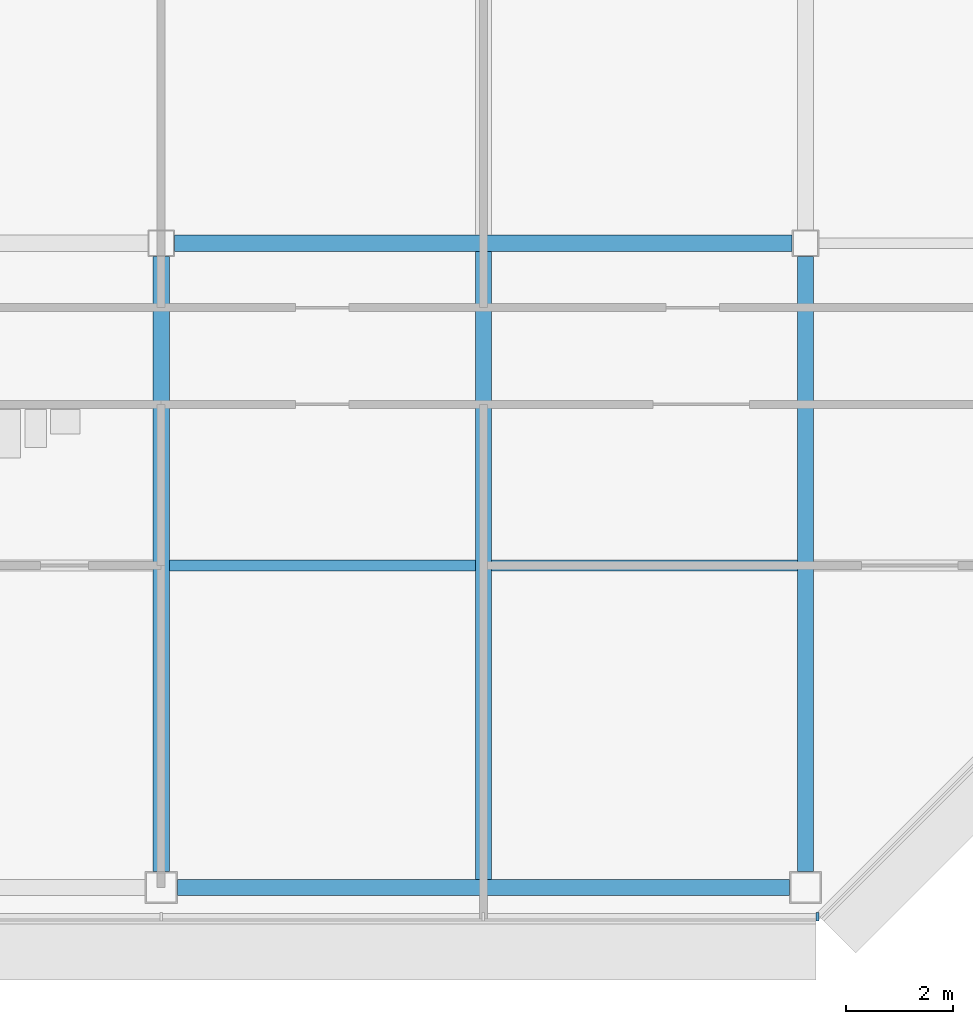
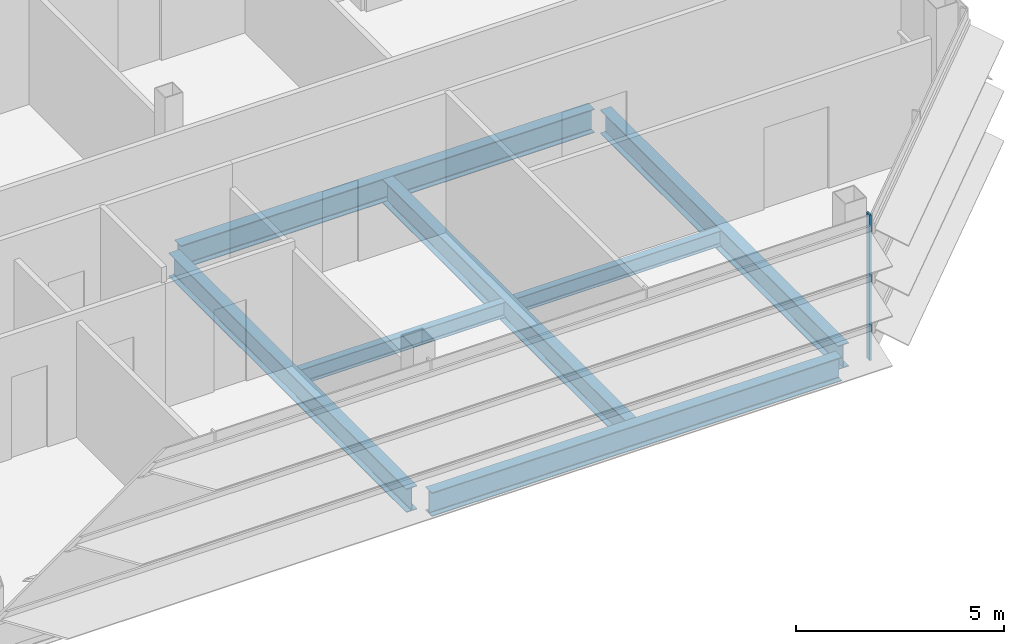
# One storey, part 10 of 29: 7 beams, 1 member, 1 element without a shape of its own.
"""IFC4 building model written with IfcOpenShell, lengths in metres."""

from ifc_helpers import new_model, si_unit, direction, frame, origin, origin_2d, place, context, subcontext, project, spatial, rectangle, i_section, extrude, material, material_profile, profile_set, type_object, element, aggregate, save


model = new_model("IFC4")

# Units and contexts
model_context = context("Model", 3, precision=1e-05, world=origin(), true_north=direction((0.0, 1.0)))
body_context = subcontext(model_context, "Body", "Model", "MODEL_VIEW")
ifc_project = project(units=[si_unit("LENGTHUNIT", "METRE"), si_unit("AREAUNIT", "SQUARE_METRE"), si_unit("VOLUMEUNIT", "CUBIC_METRE"), si_unit("PLANEANGLEUNIT", "RADIAN"), si_unit("MASSUNIT", "GRAM", prefix="KILO")], contexts=[model_context])

# Site, building, storey
site_placement = place(None, origin())
site = spatial("IfcSite", under=ifc_project, at=site_placement, CompositionType="ELEMENT")
building_placement = place(site_placement, origin())
building = spatial("IfcBuilding", under=site, at=building_placement, Name="Sorahane Residences", CompositionType="ELEMENT")
storey_placement = place(building_placement, frame((0.0, 0.0, 277.39990234375)))
storey = spatial("IfcBuildingStorey", under=building, at=storey_placement, Name="L66", CompositionType="ELEMENT", Elevation=277.39990234375)

# Curtain wall, member
ifc_material_1 = material(Name="Dark low-e glass and black anodised aluminium", Category="aluminium")
curtain_wall_type = type_object("IfcCurtainWallType", Name="Curtain wall CW-1 Typical unitised wall", PredefinedType="NOTDEFINED", material=ifc_material_1)
curtain_wall_placement = place(storey_placement, origin())
curtain_wall = element("IfcCurtainWall", 1, at=curtain_wall_placement, inside=storey, type_object=curtain_wall_type, Name="CW-1 curtain wall L66 S1", PredefinedType="NOTDEFINED")
ifc_material_2 = material(Name="Black anodised aluminium", Category="aluminium")
ifc_material_profile_1 = material_profile(ifc_material_2, rectangle(XDim=0.159912109375, YDim=0.050048828125, at=origin_2d()), Name="Curtain wall mullion CW-1 black anodised aluminium 50x160")
ifc_profile_set_1 = profile_set([ifc_material_profile_1], Name="Black anodised aluminium")
member_type = type_object("IfcMemberType", Name="Curtain wall mullion CW-1 black anodised aluminium 50x160", PredefinedType="MULLION", material=ifc_profile_set_1)
member_placement = place(storey_placement, frame((48.2236328125, -0.5400390625, -0.179931640625), z_axis=(0.0, 0.0, 1.0), x_axis=(0.0, -1.0, 0.0)))
member = element("IfcMember", 2, at=member_placement, type_object=member_type, Name="CW-1 mullion L66 S1.10", PredefinedType="MULLION", context=body_context, shape_type="SweptSolid", body=[
    extrude(rectangle(XDim=0.159912109375, YDim=0.050048828125, at=origin_2d()), origin(), (0.0, 0.0, 1.0), 4.280029296875),
])
aggregate(curtain_wall, [member])

# Beams
ifc_material_3 = material(Name="Steel Q355B", Category="steel")
ifc_material_profile_2 = material_profile(ifc_material_3, i_section(OverallWidth=0.199951171875, OverallDepth=0.449951171875, WebThickness=0.009033203125, FlangeThickness=0.013916015625, FilletRadius=0.02001953125, at=origin_2d()), Name="HN 450x200x9x14")
ifc_profile_set_2 = profile_set([ifc_material_profile_2], Name="Steel Q355B")
beam_type_1 = type_object("IfcBeamType", Name="Steel floor beam HN 450x200x9x14 Q355B", PredefinedType="BEAM", material=ifc_profile_set_2)
for number, where, z_axis, x_axis, name in (
    (3, (36.14990234375, 6.0, -0.40478515625), (1.0, 0.0, 0.0), (0.0, 1.0, 0.0), "Beam L66 075"),
    (4, (42.14990234375, 6.0, -0.40478515625), (1.0, 0.0, 0.0), (0.0, 1.0, 0.0), "Beam L66 076"),
):
    element("IfcBeam", number, at=place(storey_placement, frame(where, z_axis=z_axis, x_axis=x_axis)), inside=storey, type_object=beam_type_1, Name=name, PredefinedType="BEAM", context=body_context, shape_type="SweptSolid", body=[
        extrude(i_section(OverallWidth=0.199951171875, OverallDepth=0.449951171875, WebThickness=0.009033203125, FlangeThickness=0.013916015625, FilletRadius=0.02001953125, at=origin_2d()), origin(), (0.0, 0.0, 1.0), 5.7001953125),
    ])
ifc_material_4 = material(Name="Steel Q355B", Category="steel")
ifc_material_profile_3 = material_profile(ifc_material_4, i_section(OverallWidth=0.300048828125, OverallDepth=0.699951171875, WebThickness=0.012939453125, FlangeThickness=0.02392578125, FilletRadius=0.028076171875, at=origin_2d()), Name="HN 700x300x13x24")
ifc_profile_set_3 = profile_set([ifc_material_profile_3], Name="Steel Q355B")
beam_type_2 = type_object("IfcBeamType", Name="Steel floor beam HN 700x300x13x24 Q355B", PredefinedType="BEAM", material=ifc_profile_set_3)
beam_1_placement = place(storey_placement, frame((36.300048828125, 0.0, -0.52978515625), z_axis=(1.0, 0.0, 0.0), x_axis=(0.0, 1.0, 0.0)))
element("IfcBeam", 5, at=beam_1_placement, inside=storey, type_object=beam_type_2, Name="Beam L66 004", PredefinedType="BEAM", context=body_context, shape_type="SweptSolid", body=[
    extrude(i_section(OverallWidth=0.300048828125, OverallDepth=0.699951171875, WebThickness=0.012939453125, FlangeThickness=0.02392578125, FilletRadius=0.028076171875, at=origin_2d()), origin(), (0.0, 0.0, 1.0), 11.39990234375),
])
beam_2_placement = place(storey_placement, frame((36.25, 12.0, -0.52978515625), z_axis=(1.0, 0.0, 0.0), x_axis=(0.0, 1.0, 0.0)))
element("IfcBeam", 6, at=beam_2_placement, inside=storey, type_object=beam_type_2, Name="Beam L66 009", PredefinedType="BEAM", context=body_context, shape_type="SweptSolid", body=[
    extrude(i_section(OverallWidth=0.300048828125, OverallDepth=0.699951171875, WebThickness=0.012939453125, FlangeThickness=0.02392578125, FilletRadius=0.028076171875, at=origin_2d()), origin(), (0.0, 0.0, 1.0), 11.5),
])
beam_3_placement = place(storey_placement, frame((36.0, 0.300048828125, -0.52978515625), z_axis=(0.0, 1.0, 0.0), x_axis=(-1.0, 0.0, 0.0)))
element("IfcBeam", 7, at=beam_3_placement, inside=storey, type_object=beam_type_2, Name="Beam L66 050", PredefinedType="BEAM", context=body_context, shape_type="SweptSolid", body=[
    extrude(i_section(OverallWidth=0.300048828125, OverallDepth=0.699951171875, WebThickness=0.012939453125, FlangeThickness=0.02392578125, FilletRadius=0.028076171875, at=origin_2d()), origin(), (0.0, 0.0, 1.0), 11.449951171875),
])
beam_4_placement = place(storey_placement, frame((42.0, 0.14990234375, -0.52978515625), z_axis=(0.0, 1.0, 0.0), x_axis=(-1.0, 0.0, 0.0)))
element("IfcBeam", 8, at=beam_4_placement, inside=storey, type_object=beam_type_2, Name="Beam L66 052", PredefinedType="BEAM", context=body_context, shape_type="SweptSolid", body=[
    extrude(i_section(OverallWidth=0.300048828125, OverallDepth=0.699951171875, WebThickness=0.012939453125, FlangeThickness=0.02392578125, FilletRadius=0.028076171875, at=origin_2d()), origin(), (0.0, 0.0, 1.0), 11.7001953125),
])
beam_5_placement = place(storey_placement, frame((48.0, 0.300048828125, -0.52978515625), z_axis=(0.0, 1.0, 0.0), x_axis=(-1.0, 0.0, 0.0)))
element("IfcBeam", 9, at=beam_5_placement, inside=storey, type_object=beam_type_2, Name="Beam L66 058", PredefinedType="BEAM", context=body_context, shape_type="SweptSolid", body=[
    extrude(i_section(OverallWidth=0.300048828125, OverallDepth=0.699951171875, WebThickness=0.012939453125, FlangeThickness=0.02392578125, FilletRadius=0.028076171875, at=origin_2d()), origin(), (0.0, 0.0, 1.0), 11.449951171875),
])

save(model, "model.ifc")
